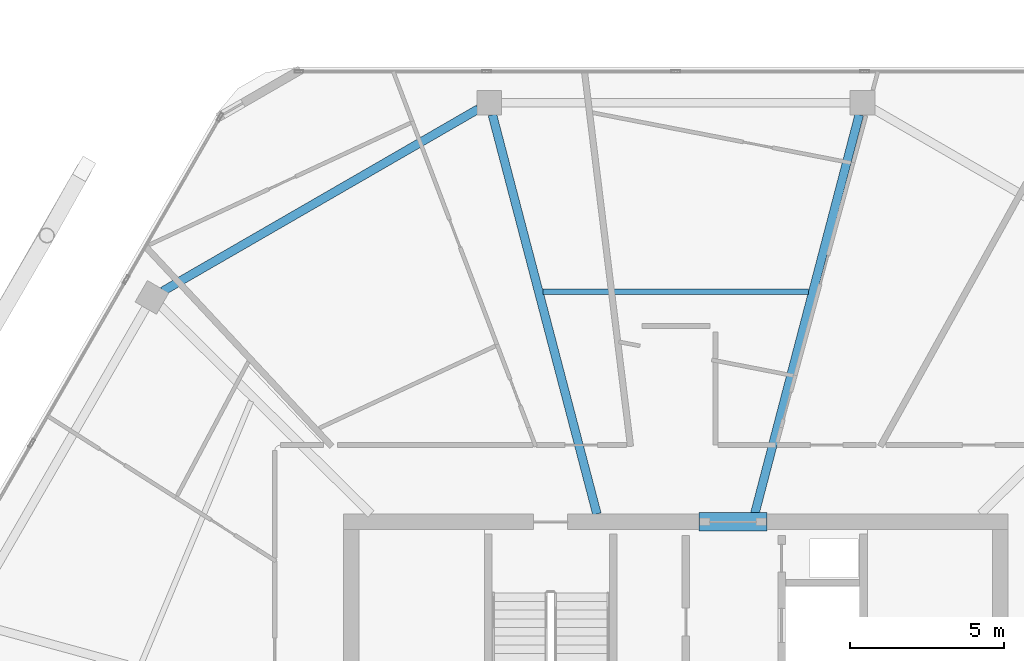
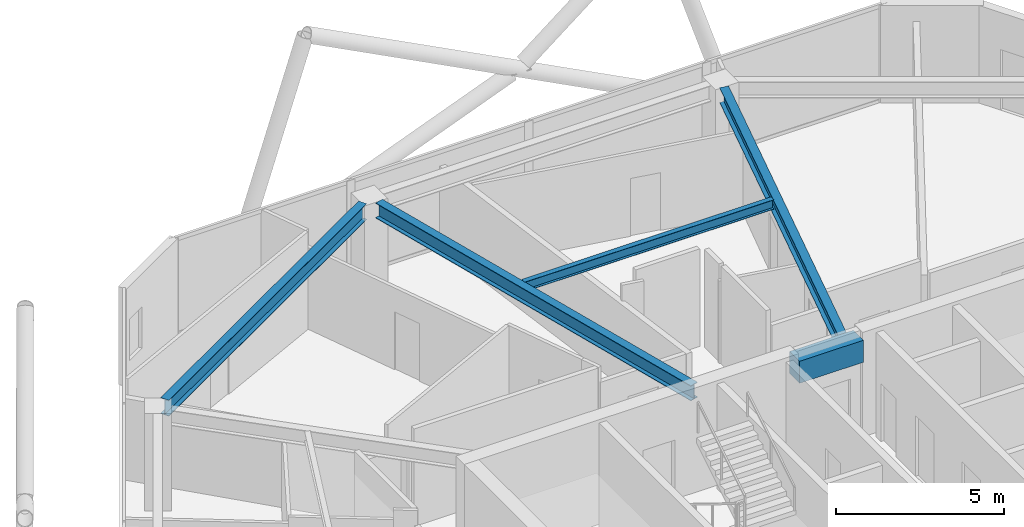
# One storey, part 10 of 23: 5 beams.
"""IFC4 building model written with IfcOpenShell, lengths in metres."""

from ifc_helpers import new_model, si_unit, direction, frame, origin, origin_2d, place, context, subcontext, project, spatial, rectangle, i_section, extrude, material, material_profile, profile_set, type_object, element, save


model = new_model("IFC4")

# Units and contexts
model_context = context("Model", 3, precision=1e-05, world=origin(), true_north=direction((0.0, 1.0)))
body_context = subcontext(model_context, "Body", "Model", "MODEL_VIEW")
ifc_project = project(units=[si_unit("LENGTHUNIT", "METRE"), si_unit("AREAUNIT", "SQUARE_METRE"), si_unit("VOLUMEUNIT", "CUBIC_METRE"), si_unit("PLANEANGLEUNIT", "RADIAN"), si_unit("MASSUNIT", "GRAM", prefix="KILO")], contexts=[model_context])

# Site, building, storey
site_placement = place(None, origin())
site = spatial("IfcSite", under=ifc_project, at=site_placement, CompositionType="ELEMENT")
building_placement = place(site_placement, origin())
building = spatial("IfcBuilding", under=site, at=building_placement, Name="Zuhravey Tower", CompositionType="ELEMENT")
storey_placement = place(building_placement, frame((0.0, 0.0, 331.0)))
storey = spatial("IfcBuildingStorey", under=building, at=storey_placement, Name="L84", CompositionType="ELEMENT", Elevation=331.0)

# Beams
ifc_material_1 = material(Name="Concrete C50/60", Category="concrete")
ifc_material_profile_1 = material_profile(ifc_material_1, rectangle(XDim=0.60009765625, YDim=0.800048828125, at=origin_2d()), Name="RC-600x800")
ifc_profile_set_1 = profile_set([ifc_material_profile_1], Name="Concrete C50/60")
beam_type_1 = type_object("IfcBeamType", Name="Core Coupling Beam RC600x800", PredefinedType="LINTEL", material=ifc_profile_set_1)
beam_1_placement = place(storey_placement, frame((36.751953125, 41.5, 3.14990234375), z_axis=(1.0, 0.0, 0.0), x_axis=(0.0, 1.0, 0.0)))
element("IfcBeam", 1, at=beam_1_placement, inside=storey, type_object=beam_type_1, Name="L84 CB2 BM-L84-CB-N", PredefinedType="LINTEL", context=body_context, shape_type="SweptSolid", body=[
    extrude(rectangle(XDim=0.60009765625, YDim=0.800048828125, at=origin_2d()), origin(), (0.0, 0.0, 1.0), 2.196044921875),
])
ifc_material_2 = material(Name="Steel SM355", Category="steel")
ifc_material_profile_2 = material_profile(ifc_material_2, i_section(OverallWidth=0.280029296875, OverallDepth=0.580078125, WebThickness=0.011962890625, FlangeThickness=0.01904296875, at=origin_2d()), Name="H-580x280x12x19")
ifc_profile_set_2 = profile_set([ifc_material_profile_2], Name="Steel SM355")
beam_type_2 = type_object("IfcBeamType", Name="Perimeter Ring Beam H580x280", PredefinedType="BEAM", material=ifc_profile_set_2)
beam_2_placement = place(storey_placement, frame((29.6123046875, 54.862548828125, 3.260009765625), z_axis=(-0.866023977509, -0.500002470373, 0.0), x_axis=(0.500002470373, -0.866023977509, 0.0)))
element("IfcBeam", 2, at=beam_2_placement, inside=storey, type_object=beam_type_2, Name="L84 PB4 BM-L84-PB-04", PredefinedType="BEAM", context=body_context, shape_type="SweptSolid", body=[
    extrude(i_section(OverallWidth=0.280029296875, OverallDepth=0.580078125, WebThickness=0.011962890625, FlangeThickness=0.01904296875, at=origin_2d()), origin(), (0.0, 0.0, 1.0), 11.798828125),
])
ifc_material_profile_3 = material_profile(ifc_material_2, i_section(OverallWidth=0.280029296875, OverallDepth=0.550048828125, WebThickness=0.010986328125, FlangeThickness=0.01806640625, at=origin_2d()), Name="H-550x280x11x18")
ifc_profile_set_3 = profile_set([ifc_material_profile_3], Name="Steel SM355")
beam_type_3 = type_object("IfcBeamType", Name="Radial Primary Girder H550x280", PredefinedType="BEAM", material=ifc_profile_set_3)
for number, where, z_axis, x_axis, name in (
    (3, (38.553466796875, 41.7529296875, 3.27490234375), (0.253281197106, 0.967392699576, 0.0), (-0.967392699576, 0.253281197106, 0.0), "L84 RG4 BM-L84-RAD-03"),
    (4, (33.446533203125, 41.7529296875, 3.27490234375), (-0.253281197106, 0.967392699576, 0.0), (-0.967392699576, -0.253281197106, 0.0), "L84 RG4 BM-L84-RAD-04"),
):
    element("IfcBeam", number, at=place(storey_placement, frame(where, z_axis=z_axis, x_axis=x_axis)), inside=storey, type_object=beam_type_3, Name=name, PredefinedType="BEAM", context=body_context, shape_type="SweptSolid", body=[
        extrude(i_section(OverallWidth=0.280029296875, OverallDepth=0.550048828125, WebThickness=0.010986328125, FlangeThickness=0.01806640625, at=origin_2d()), origin(), (0.0, 0.0, 1.0), 13.35693359375),
    ])
ifc_material_profile_4 = material_profile(ifc_material_2, i_section(OverallWidth=0.175048828125, OverallDepth=0.35009765625, WebThickness=0.007080078125, FlangeThickness=0.010986328125, at=origin_2d()), Name="H-350x175x7x11")
ifc_profile_set_4 = profile_set([ifc_material_profile_4], Name="Steel SM355")
beam_type_4 = type_object("IfcBeamType", Name="Secondary Floor Joist H350x175", PredefinedType="JOIST", material=ifc_profile_set_4)
beam_3_placement = place(storey_placement, frame((40.29150390625, 48.94091796875, 3.375), z_axis=(-1.0, 0.0, 0.0), x_axis=(0.0, -1.0, 0.0)))
element("IfcBeam", 5, at=beam_3_placement, inside=storey, type_object=beam_type_4, Name="L84 SJ3 BM-L84-SJ-03-1", PredefinedType="JOIST", context=body_context, shape_type="SweptSolid", body=[
    extrude(i_section(OverallWidth=0.175048828125, OverallDepth=0.35009765625, WebThickness=0.007080078125, FlangeThickness=0.010986328125, at=origin_2d()), origin(), (0.0, 0.0, 1.0), 8.5830078125),
])

save(model, "model.ifc")
